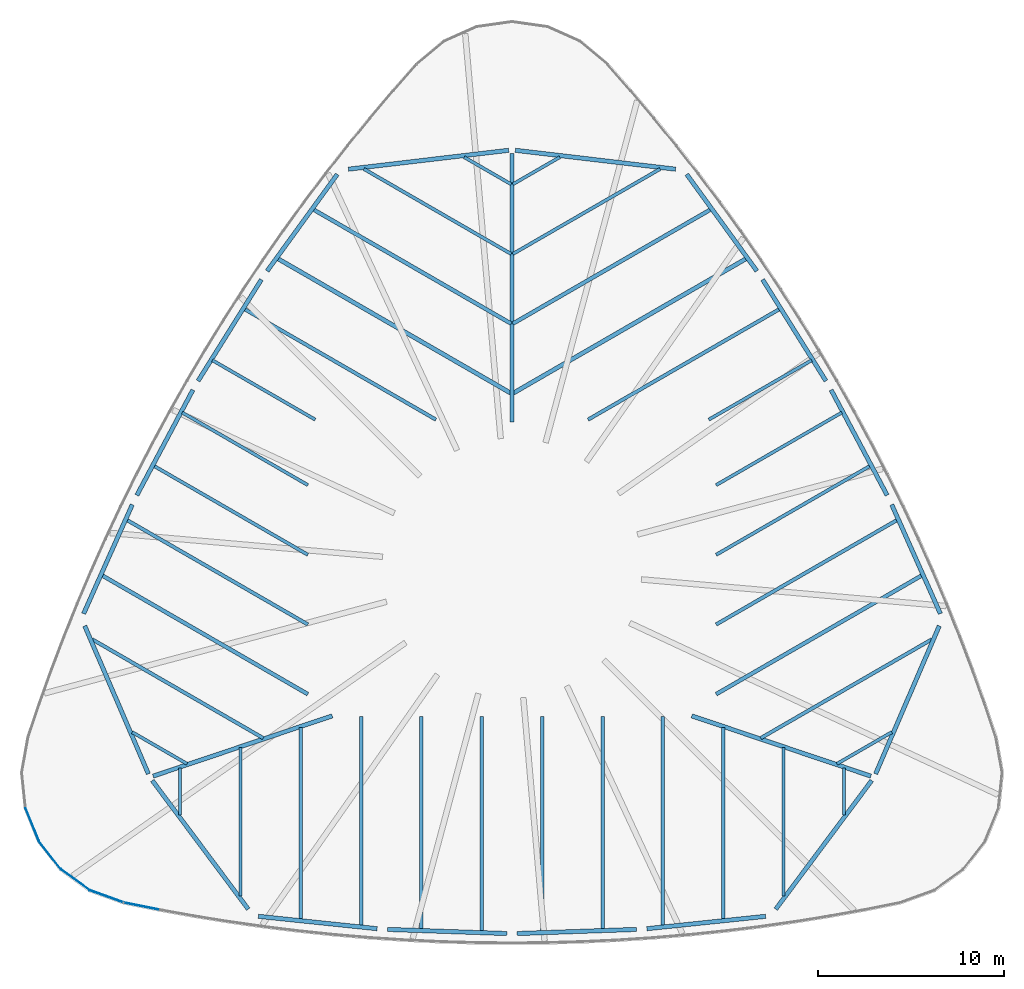
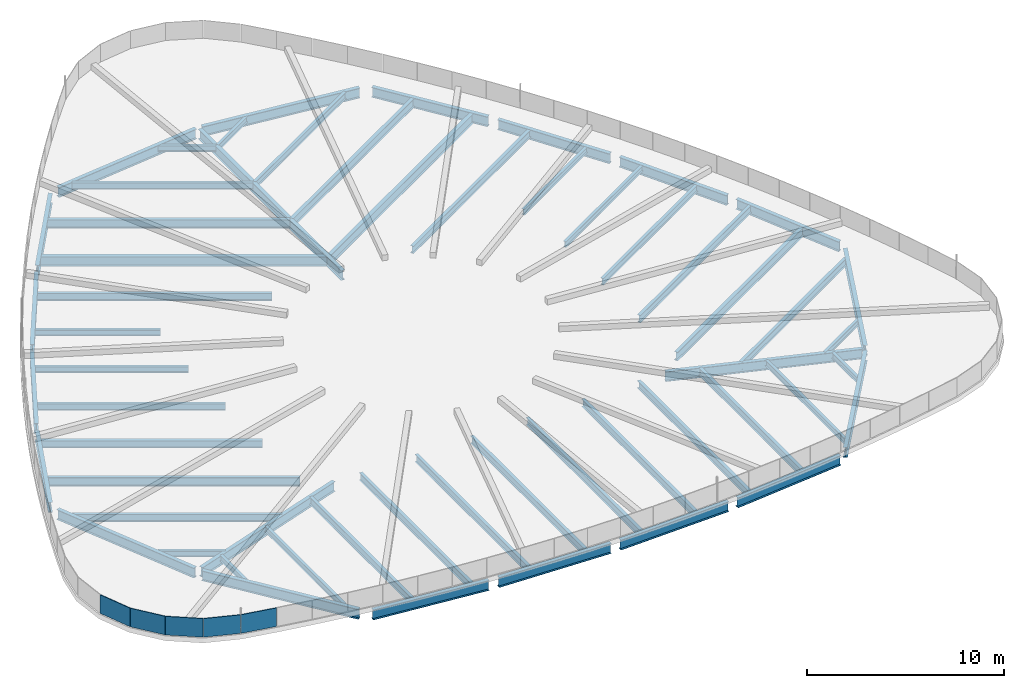
# One storey, part 1 of 9: 57 beams, 5 plates.
"""IFC4 building model written with IfcOpenShell, lengths in metres."""

from ifc_helpers import new_model, si_unit, direction, frame, origin, origin_2d, place, context, subcontext, project, spatial, rectangle, i_section, extrude, material, layer, layer_set, material_profile, profile_set, type_object, element, save


model = new_model("IFC4")

# Units and contexts
model_context = context("Model", 3, precision=1e-05, world=origin(), true_north=direction((0.0, 1.0)))
body_context = subcontext(model_context, "Body", "Model", "MODEL_VIEW")
ifc_project = project(units=[si_unit("LENGTHUNIT", "METRE"), si_unit("AREAUNIT", "SQUARE_METRE"), si_unit("VOLUMEUNIT", "CUBIC_METRE"), si_unit("PLANEANGLEUNIT", "RADIAN"), si_unit("MASSUNIT", "GRAM", prefix="KILO")], contexts=[model_context])

# Site, building, storey
site_placement = place(None, origin())
site = spatial("IfcSite", under=ifc_project, at=site_placement, CompositionType="ELEMENT")
building_placement = place(site_placement, origin())
building = spatial("IfcBuilding", under=site, at=building_placement, Name="Sierra Prisma Convention Tower", CompositionType="ELEMENT")
storey_placement = place(building_placement, frame((0.0, 0.0, 361.0)))
storey = spatial("IfcBuildingStorey", under=building, at=storey_placement, Name="Roof", CompositionType="ELEMENT", Elevation=361.0)

# Beams
ifc_material_1 = material(Name="Steel ASTM A992 Gr 50", Category="steel")
ifc_material_profile_1 = material_profile(ifc_material_1, i_section(OverallWidth=0.172119140625, OverallDepth=0.35791015625, WebThickness=0.0078125, FlangeThickness=0.01318359375, at=origin_2d()), Name="W360x57")
ifc_profile_set_1 = profile_set([ifc_material_profile_1], Name="Steel ASTM A992 Gr 50")
beam_type_1 = type_object("IfcBeamType", Name="Floor joist W360x57", PredefinedType="JOIST", material=ifc_profile_set_1)
beam_1_placement = place(storey_placement, frame((-17.8876953125, -13.30419921875, -0.47900390625), z_axis=(0.0, 1.0, 0.0), x_axis=(-1.0, 0.0, 0.0)))
element("IfcBeam", 1, at=beam_1_placement, inside=storey, type_object=beam_type_1, Name="Floor joist Roof S01", PredefinedType="JOIST", context=body_context, shape_type="SweptSolid", body=[
    extrude(i_section(OverallWidth=0.172119140625, OverallDepth=0.35791015625, WebThickness=0.0078125, FlangeThickness=0.01318359375, at=origin_2d()), origin(), (0.0, 0.0, 1.0), 2.53662109375),
])
for number, where, z_axis, x_axis, name in (
    (2, (-14.63525390625, -17.664794921875, -0.47900390625), (0.0, 1.0, 0.0), (-1.0, 0.0, 0.0), "Floor joist Roof S02"),
    (3, (14.63525390625, -17.664794921875, -0.47900390625), (0.0, 1.0, 0.0), (-1.0, 0.0, 0.0), "Floor joist Roof S11"),
):
    element("IfcBeam", number, at=place(storey_placement, frame(where, z_axis=z_axis, x_axis=x_axis)), inside=storey, type_object=beam_type_1, Name=name, PredefinedType="JOIST", context=body_context, shape_type="SweptSolid", body=[
        extrude(i_section(OverallWidth=0.172119140625, OverallDepth=0.35791015625, WebThickness=0.0078125, FlangeThickness=0.01318359375, at=origin_2d()), origin(), (0.0, 0.0, 1.0), 7.99072265625),
    ])
beam_2_placement = place(storey_placement, frame((17.8876953125, -13.30419921875, -0.47900390625), z_axis=(0.0, 1.0, 0.0), x_axis=(-1.0, 0.0, 0.0)))
element("IfcBeam", 4, at=beam_2_placement, inside=storey, type_object=beam_type_1, Name="Floor joist Roof S12", PredefinedType="JOIST", context=body_context, shape_type="SweptSolid", body=[
    extrude(i_section(OverallWidth=0.172119140625, OverallDepth=0.35791015625, WebThickness=0.0078125, FlangeThickness=0.01318359375, at=origin_2d()), origin(), (0.0, 0.0, 1.0), 2.53662109375),
])
beam_3_placement = place(storey_placement, frame((20.465576171875, -8.839111328125, -0.47900390625), z_axis=(-0.866059270181, -0.499941337092, 0.0), x_axis=(0.499941337092, -0.866059270181, 0.0)))
element("IfcBeam", 5, at=beam_3_placement, inside=storey, type_object=beam_type_1, Name="Floor joist Roof NE01", PredefinedType="JOIST", context=body_context, shape_type="SweptSolid", body=[
    extrude(i_section(OverallWidth=0.172119140625, OverallDepth=0.35791015625, WebThickness=0.0078125, FlangeThickness=0.01318359375, at=origin_2d()), origin(), (0.0, 0.0, 1.0), 3.41162109375),
])
beam_4_placement = place(storey_placement, frame((17.7685546875, 8.381103515625, -0.47900390625), z_axis=(-0.866018084234, -0.50001267762, 0.0), x_axis=(0.50001267762, -0.866018084234, 0.0)))
element("IfcBeam", 6, at=beam_4_placement, inside=storey, type_object=beam_type_1, Name="Floor joist Roof NE06", PredefinedType="JOIST", context=body_context, shape_type="SweptSolid", body=[
    extrude(i_section(OverallWidth=0.172119140625, OverallDepth=0.35791015625, WebThickness=0.0078125, FlangeThickness=0.01318359375, at=origin_2d()), origin(), (0.0, 0.0, 1.0), 7.815673828125),
])
beam_5_placement = place(storey_placement, frame((16.142578125, 11.197509765625, -0.47900390625), z_axis=(-0.866038102165, -0.499978005115, 0.0), x_axis=(0.499978005115, -0.866038102165, 0.0)))
element("IfcBeam", 7, at=beam_5_placement, inside=storey, type_object=beam_type_1, Name="Floor joist Roof NE07", PredefinedType="JOIST", context=body_context, shape_type="SweptSolid", body=[
    extrude(i_section(OverallWidth=0.172119140625, OverallDepth=0.35791015625, WebThickness=0.0078125, FlangeThickness=0.01318359375, at=origin_2d()), origin(), (0.0, 0.0, 1.0), 6.395263671875),
])
for number, where, z_axis, x_axis, name in (
    (8, (2.577880859375, 22.14306640625, -0.47900390625), (-0.866035418383, -0.499982653806, 0.0), (0.499982653806, -0.866035418383, 0.0), "Floor joist Roof NE12"),
    (9, (-2.577880859375, 22.14306640625, -0.47900390625), (0.866035418383, -0.499982653806, 0.0), (0.499982653806, 0.866035418383, 0.0), "Floor joist Roof NW01"),
):
    element("IfcBeam", number, at=place(storey_placement, frame(where, z_axis=z_axis, x_axis=x_axis)), inside=storey, type_object=beam_type_1, Name=name, PredefinedType="JOIST", context=body_context, shape_type="SweptSolid", body=[
        extrude(i_section(OverallWidth=0.172119140625, OverallDepth=0.35791015625, WebThickness=0.0078125, FlangeThickness=0.01318359375, at=origin_2d()), origin(), (0.0, 0.0, 1.0), 2.923828125),
    ])
beam_6_placement = place(storey_placement, frame((-16.142578125, 11.197509765625, -0.47900390625), z_axis=(0.866038102165, -0.499978005115, 0.0), x_axis=(0.499978005115, 0.866038102165, 0.0)))
element("IfcBeam", 10, at=beam_6_placement, inside=storey, type_object=beam_type_1, Name="Floor joist Roof NW06", PredefinedType="JOIST", context=body_context, shape_type="SweptSolid", body=[
    extrude(i_section(OverallWidth=0.172119140625, OverallDepth=0.35791015625, WebThickness=0.0078125, FlangeThickness=0.01318359375, at=origin_2d()), origin(), (0.0, 0.0, 1.0), 6.395263671875),
])
beam_7_placement = place(storey_placement, frame((-17.7685546875, 8.381103515625, -0.47900390625), z_axis=(0.866018084234, -0.50001267762, 0.0), x_axis=(0.50001267762, 0.866018084234, 0.0)))
element("IfcBeam", 11, at=beam_7_placement, inside=storey, type_object=beam_type_1, Name="Floor joist Roof NW07", PredefinedType="JOIST", context=body_context, shape_type="SweptSolid", body=[
    extrude(i_section(OverallWidth=0.172119140625, OverallDepth=0.35791015625, WebThickness=0.0078125, FlangeThickness=0.01318359375, at=origin_2d()), origin(), (0.0, 0.0, 1.0), 7.815673828125),
])
beam_8_placement = place(storey_placement, frame((-20.465576171875, -8.839111328125, -0.47900390625), z_axis=(0.866059270181, -0.499941337092, 0.0), x_axis=(0.499941337092, 0.866059270181, 0.0)))
element("IfcBeam", 12, at=beam_8_placement, inside=storey, type_object=beam_type_1, Name="Floor joist Roof NW12", PredefinedType="JOIST", context=body_context, shape_type="SweptSolid", body=[
    extrude(i_section(OverallWidth=0.172119140625, OverallDepth=0.35791015625, WebThickness=0.0078125, FlangeThickness=0.01318359375, at=origin_2d()), origin(), (0.0, 0.0, 1.0), 3.41162109375),
])
ifc_material_2 = material(Name="Steel ASTM A992 Gr 50", Category="steel")
ifc_material_profile_2 = material_profile(ifc_material_2, i_section(OverallWidth=0.177978515625, OverallDepth=0.406982421875, WebThickness=0.0078125, FlangeThickness=0.0126953125, at=origin_2d()), Name="W410x60")
ifc_profile_set_2 = profile_set([ifc_material_profile_2], Name="Steel ASTM A992 Gr 50")
beam_type_2 = type_object("IfcBeamType", Name="Floor joist W410x60", PredefinedType="JOIST", material=ifc_profile_set_2)
beam_9_placement = place(storey_placement, frame((19.29736328125, 5.508056640625, -0.50341796875), z_axis=(-0.866034520527, -0.499984209006, 0.0), x_axis=(0.499984209006, -0.866034520527, 0.0)))
element("IfcBeam", 13, at=beam_9_placement, inside=storey, type_object=beam_type_2, Name="Floor joist Roof NE05", PredefinedType="JOIST", context=body_context, shape_type="SweptSolid", body=[
    extrude(i_section(OverallWidth=0.177978515625, OverallDepth=0.406982421875, WebThickness=0.0078125, FlangeThickness=0.0126953125, at=origin_2d()), origin(), (0.0, 0.0, 1.0), 9.580810546875),
])
for number, where, z_axis, x_axis, name in (
    (14, (7.98046875, 21.5068359375, -0.50341796875), (-0.866030723977, -0.499990785043, 0.0), (0.499990785043, -0.866030723977, 0.0), "Floor joist Roof NE11"),
    (15, (-7.98046875, 21.5068359375, -0.50341796875), (0.866030723977, -0.499990785043, 0.0), (0.499990785043, 0.866030723977, 0.0), "Floor joist Roof NW02"),
):
    element("IfcBeam", number, at=place(storey_placement, frame(where, z_axis=z_axis, x_axis=x_axis)), inside=storey, type_object=beam_type_2, Name=name, PredefinedType="JOIST", context=body_context, shape_type="SweptSolid", body=[
        extrude(i_section(OverallWidth=0.177978515625, OverallDepth=0.406982421875, WebThickness=0.0078125, FlangeThickness=0.0126953125, at=origin_2d()), origin(), (0.0, 0.0, 1.0), 9.162353515625),
    ])
beam_10_placement = place(storey_placement, frame((-19.29736328125, 5.508056640625, -0.50341796875), z_axis=(0.866034520527, -0.499984209006, 0.0), x_axis=(0.499984209006, 0.866034520527, 0.0)))
element("IfcBeam", 16, at=beam_10_placement, inside=storey, type_object=beam_type_2, Name="Floor joist Roof NW08", PredefinedType="JOIST", context=body_context, shape_type="SweptSolid", body=[
    extrude(i_section(OverallWidth=0.177978515625, OverallDepth=0.406982421875, WebThickness=0.0078125, FlangeThickness=0.0126953125, at=origin_2d()), origin(), (0.0, 0.0, 1.0), 9.580810546875),
])
ifc_material_3 = material(Name="Steel ASTM A992 Gr 50", Category="steel")
ifc_material_profile_3 = material_profile(ifc_material_3, i_section(OverallWidth=0.18994140625, OverallDepth=0.45703125, WebThickness=0.009033203125, FlangeThickness=0.014404296875, at=origin_2d()), Name="W460x74")
ifc_profile_set_3 = profile_set([ifc_material_profile_3], Name="Steel ASTM A992 Gr 50")
beam_type_3 = type_object("IfcBeamType", Name="Floor joist W460x74", PredefinedType="JOIST", material=ifc_profile_set_3)
beam_11_placement = place(storey_placement, frame((-11.383056640625, -18.9345703125, -0.528564453125), z_axis=(0.0, 1.0, 0.0), x_axis=(-1.0, 0.0, 0.0)))
element("IfcBeam", 17, at=beam_11_placement, inside=storey, type_object=beam_type_3, Name="Floor joist Roof S03", PredefinedType="JOIST", context=body_context, shape_type="SweptSolid", body=[
    extrude(i_section(OverallWidth=0.18994140625, OverallDepth=0.45703125, WebThickness=0.009033203125, FlangeThickness=0.014404296875, at=origin_2d()), origin(), (0.0, 0.0, 1.0), 10.354248046875),
])
beam_12_placement = place(storey_placement, frame((-8.130615234375, -19.2734375, -0.528564453125), z_axis=(0.0, 1.0, 0.0), x_axis=(-1.0, 0.0, 0.0)))
element("IfcBeam", 18, at=beam_12_placement, inside=storey, type_object=beam_type_3, Name="Floor joist Roof S04", PredefinedType="JOIST", context=body_context, shape_type="SweptSolid", body=[
    extrude(i_section(OverallWidth=0.18994140625, OverallDepth=0.45703125, WebThickness=0.009033203125, FlangeThickness=0.014404296875, at=origin_2d()), origin(), (0.0, 0.0, 1.0), 11.2734375),
])
beam_13_placement = place(storey_placement, frame((-4.87841796875, -19.466064453125, -0.528564453125), z_axis=(0.0, 1.0, 0.0), x_axis=(-1.0, 0.0, 0.0)))
element("IfcBeam", 19, at=beam_13_placement, inside=storey, type_object=beam_type_3, Name="Floor joist Roof S05", PredefinedType="JOIST", context=body_context, shape_type="SweptSolid", body=[
    extrude(i_section(OverallWidth=0.18994140625, OverallDepth=0.45703125, WebThickness=0.009033203125, FlangeThickness=0.014404296875, at=origin_2d()), origin(), (0.0, 0.0, 1.0), 11.466064453125),
])
for number, where, z_axis, x_axis, name in (
    (20, (-1.626220703125, -19.57861328125, -0.528564453125), (0.0, 1.0, 0.0), (-1.0, 0.0, 0.0), "Floor joist Roof S06"),
    (21, (1.626220703125, -19.57861328125, -0.528564453125), (0.0, 1.0, 0.0), (-1.0, 0.0, 0.0), "Floor joist Roof S07"),
):
    element("IfcBeam", number, at=place(storey_placement, frame(where, z_axis=z_axis, x_axis=x_axis)), inside=storey, type_object=beam_type_3, Name=name, PredefinedType="JOIST", context=body_context, shape_type="SweptSolid", body=[
        extrude(i_section(OverallWidth=0.18994140625, OverallDepth=0.45703125, WebThickness=0.009033203125, FlangeThickness=0.014404296875, at=origin_2d()), origin(), (0.0, 0.0, 1.0), 11.57861328125),
    ])
beam_14_placement = place(storey_placement, frame((4.87841796875, -19.466064453125, -0.528564453125), z_axis=(0.0, 1.0, 0.0), x_axis=(-1.0, 0.0, 0.0)))
element("IfcBeam", 22, at=beam_14_placement, inside=storey, type_object=beam_type_3, Name="Floor joist Roof S08", PredefinedType="JOIST", context=body_context, shape_type="SweptSolid", body=[
    extrude(i_section(OverallWidth=0.18994140625, OverallDepth=0.45703125, WebThickness=0.009033203125, FlangeThickness=0.014404296875, at=origin_2d()), origin(), (0.0, 0.0, 1.0), 11.466064453125),
])
beam_15_placement = place(storey_placement, frame((8.130615234375, -19.2734375, -0.528564453125), z_axis=(0.0, 1.0, 0.0), x_axis=(-1.0, 0.0, 0.0)))
element("IfcBeam", 23, at=beam_15_placement, inside=storey, type_object=beam_type_3, Name="Floor joist Roof S09", PredefinedType="JOIST", context=body_context, shape_type="SweptSolid", body=[
    extrude(i_section(OverallWidth=0.18994140625, OverallDepth=0.45703125, WebThickness=0.009033203125, FlangeThickness=0.014404296875, at=origin_2d()), origin(), (0.0, 0.0, 1.0), 11.2734375),
])
beam_16_placement = place(storey_placement, frame((11.383056640625, -18.9345703125, -0.528564453125), z_axis=(0.0, 1.0, 0.0), x_axis=(-1.0, 0.0, 0.0)))
element("IfcBeam", 24, at=beam_16_placement, inside=storey, type_object=beam_type_3, Name="Floor joist Roof S10", PredefinedType="JOIST", context=body_context, shape_type="SweptSolid", body=[
    extrude(i_section(OverallWidth=0.18994140625, OverallDepth=0.45703125, WebThickness=0.009033203125, FlangeThickness=0.014404296875, at=origin_2d()), origin(), (0.0, 0.0, 1.0), 10.354248046875),
])
beam_17_placement = place(storey_placement, frame((22.61572265625, -3.84228515625, -0.528564453125), z_axis=(-0.866026257313, -0.499998521642, 0.0), x_axis=(0.499998521642, -0.866026257313, 0.0)))
element("IfcBeam", 25, at=beam_17_placement, inside=storey, type_object=beam_type_3, Name="Floor joist Roof NE02", PredefinedType="JOIST", context=body_context, shape_type="SweptSolid", body=[
    extrude(i_section(OverallWidth=0.18994140625, OverallDepth=0.45703125, WebThickness=0.009033203125, FlangeThickness=0.014404296875, at=origin_2d()), origin(), (0.0, 0.0, 1.0), 10.640625),
])
beam_18_placement = place(storey_placement, frame((20.756591796875, 2.59521484375, -0.528564453125), z_axis=(-0.866031491966, -0.499989454812, 0.0), x_axis=(0.499989454812, -0.866031491966, 0.0)))
element("IfcBeam", 26, at=beam_18_placement, inside=storey, type_object=beam_type_3, Name="Floor joist Roof NE04", PredefinedType="JOIST", context=body_context, shape_type="SweptSolid", body=[
    extrude(i_section(OverallWidth=0.18994140625, OverallDepth=0.45703125, WebThickness=0.009033203125, FlangeThickness=0.014404296875, at=origin_2d()), origin(), (0.0, 0.0, 1.0), 11.265869140625),
])
for number, where, z_axis, x_axis, name in (
    (27, (14.4189453125, 13.957763671875, -0.528564453125), (-0.86602931789, -0.499993220509, 0.0), (0.499993220509, -0.86602931789, 0.0), "Floor joist Roof NE08"),
    (28, (-14.4189453125, 13.957763671875, -0.528564453125), (0.86602931789, -0.499993220509, 0.0), (0.499993220509, 0.86602931789, 0.0), "Floor joist Roof NW05"),
):
    element("IfcBeam", number, at=place(storey_placement, frame(where, z_axis=z_axis, x_axis=x_axis)), inside=storey, type_object=beam_type_3, Name=name, PredefinedType="JOIST", context=body_context, shape_type="SweptSolid", body=[
        extrude(i_section(OverallWidth=0.18994140625, OverallDepth=0.45703125, WebThickness=0.009033203125, FlangeThickness=0.014404296875, at=origin_2d()), origin(), (0.0, 0.0, 1.0), 11.915771484375),
    ])
beam_19_placement = place(storey_placement, frame((-20.756591796875, 2.59521484375, -0.528564453125), z_axis=(0.866031491966, -0.499989454812, 0.0), x_axis=(0.499989454812, 0.866031491966, 0.0)))
element("IfcBeam", 29, at=beam_19_placement, inside=storey, type_object=beam_type_3, Name="Floor joist Roof NW09", PredefinedType="JOIST", context=body_context, shape_type="SweptSolid", body=[
    extrude(i_section(OverallWidth=0.18994140625, OverallDepth=0.45703125, WebThickness=0.009033203125, FlangeThickness=0.014404296875, at=origin_2d()), origin(), (0.0, 0.0, 1.0), 11.265869140625),
])
beam_20_placement = place(storey_placement, frame((-22.61572265625, -3.84228515625, -0.528564453125), z_axis=(0.866026257313, -0.499998521642, 0.0), x_axis=(0.499998521642, 0.866026257313, 0.0)))
element("IfcBeam", 30, at=beam_20_placement, inside=storey, type_object=beam_type_3, Name="Floor joist Roof NW11", PredefinedType="JOIST", context=body_context, shape_type="SweptSolid", body=[
    extrude(i_section(OverallWidth=0.18994140625, OverallDepth=0.45703125, WebThickness=0.009033203125, FlangeThickness=0.014404296875, at=origin_2d()), origin(), (0.0, 0.0, 1.0), 10.640625),
])
ifc_material_4 = material(Name="Steel ASTM A992 Gr 50", Category="steel")
ifc_material_profile_4 = material_profile(ifc_material_4, i_section(OverallWidth=0.208984375, OverallDepth=0.532958984375, WebThickness=0.01025390625, FlangeThickness=0.015625, at=origin_2d()), Name="W530x92")
ifc_profile_set_4 = profile_set([ifc_material_profile_4], Name="Steel ASTM A992 Gr 50")
beam_type_4 = type_object("IfcBeamType", Name="Floor joist W530x92", PredefinedType="JOIST", material=ifc_profile_set_4)
beam_21_placement = place(storey_placement, frame((22.089111328125, -0.390869140625, -0.56640625), z_axis=(-0.866023971986, -0.50000247994, 0.0), x_axis=(0.50000247994, -0.866023971986, 0.0)))
element("IfcBeam", 31, at=beam_21_placement, inside=storey, type_object=beam_type_4, Name="Floor joist Roof NE03", PredefinedType="JOIST", context=body_context, shape_type="SweptSolid", body=[
    extrude(i_section(OverallWidth=0.208984375, OverallDepth=0.532958984375, WebThickness=0.01025390625, FlangeThickness=0.015625, at=origin_2d()), origin(), (0.0, 0.0, 1.0), 12.8046875),
])
for number, where, z_axis, x_axis, name in (
    (32, (10.706298828125, 19.3251953125, -0.56640625), (-0.866030357748, -0.499991419384, 0.0), (0.499991419384, -0.866030357748, 0.0), "Floor joist Roof NE10"),
    (33, (-10.706298828125, 19.3251953125, -0.56640625), (0.866030357748, -0.499991419384, 0.0), (0.499991419384, 0.866030357748, 0.0), "Floor joist Roof NW03"),
):
    element("IfcBeam", number, at=place(storey_placement, frame(where, z_axis=z_axis, x_axis=x_axis)), inside=storey, type_object=beam_type_4, Name=name, PredefinedType="JOIST", context=body_context, shape_type="SweptSolid", body=[
        extrude(i_section(OverallWidth=0.208984375, OverallDepth=0.532958984375, WebThickness=0.01025390625, FlangeThickness=0.015625, at=origin_2d()), origin(), (0.0, 0.0, 1.0), 12.309814453125),
    ])
beam_22_placement = place(storey_placement, frame((-22.089111328125, -0.390869140625, -0.56640625), z_axis=(0.866023971986, -0.50000247994, 0.0), x_axis=(0.50000247994, 0.866023971986, 0.0)))
element("IfcBeam", 34, at=beam_22_placement, inside=storey, type_object=beam_type_4, Name="Floor joist Roof NW10", PredefinedType="JOIST", context=body_context, shape_type="SweptSolid", body=[
    extrude(i_section(OverallWidth=0.208984375, OverallDepth=0.532958984375, WebThickness=0.01025390625, FlangeThickness=0.015625, at=origin_2d()), origin(), (0.0, 0.0, 1.0), 12.8046875),
])
ifc_material_5 = material(Name="Steel ASTM A992 Gr 50", Category="steel")
ifc_material_profile_5 = material_profile(ifc_material_5, i_section(OverallWidth=0.22802734375, OverallDepth=0.60302734375, WebThickness=0.010498046875, FlangeThickness=0.014892578125, at=origin_2d()), Name="W610x101")
ifc_profile_set_5 = profile_set([ifc_material_profile_5], Name="Steel ASTM A992 Gr 50")
beam_type_5 = type_object("IfcBeamType", Name="Floor joist W610x101", PredefinedType="JOIST", material=ifc_profile_set_5)
for number, where, z_axis, x_axis, name in (
    (35, (12.6259765625, 16.67822265625, -0.6015625), (-0.866020178709, -0.500009049987, 0.0), (0.500009049987, -0.866020178709, 0.0), "Floor joist Roof NE09"),
    (36, (-12.6259765625, 16.67822265625, -0.6015625), (0.866020178709, -0.500009049987, 0.0), (0.500009049987, 0.866020178709, 0.0), "Floor joist Roof NW04"),
):
    element("IfcBeam", number, at=place(storey_placement, frame(where, z_axis=z_axis, x_axis=x_axis)), inside=storey, type_object=beam_type_5, Name=name, PredefinedType="JOIST", context=body_context, shape_type="SweptSolid", body=[
        extrude(i_section(OverallWidth=0.22802734375, OverallDepth=0.60302734375, WebThickness=0.010498046875, FlangeThickness=0.014892578125, at=origin_2d()), origin(), (0.0, 0.0, 1.0), 14.526611328125),
    ])
ifc_material_6 = material(Name="Steel ASTM A992 Gr 50", Category="steel")
ifc_material_profile_6 = material_profile(ifc_material_6, i_section(OverallWidth=0.22802734375, OverallDepth=0.60302734375, WebThickness=0.010498046875, FlangeThickness=0.014892578125, at=origin_2d()), Name="W610x101")
ifc_profile_set_6 = profile_set([ifc_material_profile_6], Name="Steel ASTM A992 Gr 50")
beam_type_6 = type_object("IfcBeamType", Name="Radial girder W610x101", PredefinedType="BEAM", material=ifc_profile_set_6)
beam_23_placement = place(storey_placement, frame((19.333740234375, -11.205810546875, -0.6015625), z_axis=(-0.947845267428, 0.318730841016, 0.0), x_axis=(-0.318730841016, -0.947845267428, 0.0)))
element("IfcBeam", 37, at=beam_23_placement, inside=storey, type_object=beam_type_6, Name="Radial girder Roof SE", PredefinedType="BEAM", context=body_context, shape_type="SweptSolid", body=[
    extrude(i_section(OverallWidth=0.22802734375, OverallDepth=0.60302734375, WebThickness=0.010498046875, FlangeThickness=0.014892578125, at=origin_2d()), origin(), (0.0, 0.0, 1.0), 10.17822265625),
])
beam_24_placement = place(storey_placement, frame((0.0, 22.3525390625, -0.6015625), z_axis=(0.0, -1.0, 0.0), x_axis=(1.0, 0.0, 0.0)))
element("IfcBeam", 38, at=beam_24_placement, inside=storey, type_object=beam_type_6, Name="Radial girder Roof N", PredefinedType="BEAM", context=body_context, shape_type="SweptSolid", body=[
    extrude(i_section(OverallWidth=0.22802734375, OverallDepth=0.60302734375, WebThickness=0.010498046875, FlangeThickness=0.014892578125, at=origin_2d()), origin(), (0.0, 0.0, 1.0), 14.47265625),
])
beam_25_placement = place(storey_placement, frame((-19.333740234375, -11.205810546875, -0.6015625), z_axis=(0.947845267428, 0.318730841016, 0.0), x_axis=(-0.318730841016, 0.947845267428, 0.0)))
element("IfcBeam", 39, at=beam_25_placement, inside=storey, type_object=beam_type_6, Name="Radial girder Roof SW", PredefinedType="BEAM", context=body_context, shape_type="SweptSolid", body=[
    extrude(i_section(OverallWidth=0.22802734375, OverallDepth=0.60302734375, WebThickness=0.010498046875, FlangeThickness=0.014892578125, at=origin_2d()), origin(), (0.0, 0.0, 1.0), 10.17822265625),
])
ifc_material_7 = material(Name="Steel ASTM A992 Gr 50", Category="steel")
ifc_material_profile_7 = material_profile(ifc_material_7, i_section(OverallWidth=0.22998046875, OverallDepth=0.616943359375, WebThickness=0.01318359375, FlangeThickness=0.022216796875, at=origin_2d()), Name="W610x140")
ifc_profile_set_7 = profile_set([ifc_material_profile_7], Name="Steel ASTM A992 Gr 50")
beam_type_7 = type_object("IfcBeamType", Name="Spandrel beam W610x140", PredefinedType="BEAM", material=ifc_profile_set_7)
beam_26_placement = place(storey_placement, frame((-19.37939453125, -11.4462890625, -0.6083984375), z_axis=(0.59784325076, -0.801613028537, 0.0), x_axis=(0.801613028537, 0.59784325076, 0.0)))
element("IfcBeam", 40, at=beam_26_placement, inside=storey, type_object=beam_type_7, Name="Spandrel Roof-01", PredefinedType="BEAM", context=body_context, shape_type="SweptSolid", body=[
    extrude(i_section(OverallWidth=0.22998046875, OverallDepth=0.616943359375, WebThickness=0.01318359375, FlangeThickness=0.022216796875, at=origin_2d()), origin(), (0.0, 0.0, 1.0), 8.64794921875),
])
for number, where, z_axis, x_axis, name in (
    (41, (-13.666015625, -18.76220703125, -0.6083984375), (0.994614089718, -0.103647539933, 0.0), (0.103647539933, 0.994614089718, 0.0), "Spandrel Roof-02"),
    (42, (-6.708984375, -19.4677734375, -0.6083984375), (0.999402116652, -0.034574690627, 0.0), (0.034574690627, 0.999402116652, 0.0), "Spandrel Roof-03"),
    (43, (0.280029296875, -19.690185546875, -0.6083984375), (0.999402116652, 0.034574690627, 0.0), (-0.034574690627, 0.999402116652, 0.0), "Spandrel Roof-04"),
    (44, (7.267822265625, -19.428955078125, -0.6083984375), (0.994614089718, 0.103647539933, 0.0), (-0.103647539933, 0.994614089718, 0.0), "Spandrel Roof-05"),
):
    element("IfcBeam", number, at=place(storey_placement, frame(where, z_axis=z_axis, x_axis=x_axis)), inside=storey, type_object=beam_type_7, Name=name, PredefinedType="BEAM", context=body_context, shape_type="SweptSolid", body=[
        extrude(i_section(OverallWidth=0.22998046875, OverallDepth=0.616943359375, WebThickness=0.01318359375, FlangeThickness=0.022216796875, at=origin_2d()), origin(), (0.0, 0.0, 1.0), 6.432861328125),
    ])
beam_27_placement = place(storey_placement, frame((14.209228515625, -18.378662109375, -0.6083984375), z_axis=(0.59784325076, 0.801613028537, 0.0), x_axis=(-0.801613028537, 0.59784325076, 0.0)))
element("IfcBeam", 45, at=beam_27_placement, inside=storey, type_object=beam_type_7, Name="Spandrel Roof-06", PredefinedType="BEAM", context=body_context, shape_type="SweptSolid", body=[
    extrude(i_section(OverallWidth=0.22998046875, OverallDepth=0.616943359375, WebThickness=0.01318359375, FlangeThickness=0.022216796875, at=origin_2d()), origin(), (0.0, 0.0, 1.0), 8.64794921875),
])
beam_28_placement = place(storey_placement, frame((19.591064453125, -11.086181640625, -0.6083984375), z_axis=(0.395280641587, 0.918560403232, 0.0), x_axis=(-0.918560403232, 0.395280641587, 0.0)))
element("IfcBeam", 46, at=beam_28_placement, inside=storey, type_object=beam_type_7, Name="Spandrel Roof-07", PredefinedType="BEAM", context=body_context, shape_type="SweptSolid", body=[
    extrude(i_section(OverallWidth=0.22998046875, OverallDepth=0.616943359375, WebThickness=0.01318359375, FlangeThickness=0.022216796875, at=origin_2d()), origin(), (0.0, 0.0, 1.0), 8.676513671875),
])
beam_29_placement = place(storey_placement, frame((23.081298828125, -2.4541015625, -0.6083984375), z_axis=(-0.407525387026, 0.913193878062, 0.0), x_axis=(-0.913193878062, -0.407525387026, 0.0)))
element("IfcBeam", 47, at=beam_29_placement, inside=storey, type_object=beam_type_7, Name="Spandrel Roof-08", PredefinedType="BEAM", context=body_context, shape_type="SweptSolid", body=[
    extrude(i_section(OverallWidth=0.22998046875, OverallDepth=0.616943359375, WebThickness=0.01318359375, FlangeThickness=0.022216796875, at=origin_2d()), origin(), (0.0, 0.0, 1.0), 6.432861328125),
])
beam_30_placement = place(storey_placement, frame((20.2138671875, 3.923583984375, -0.6083984375), z_axis=(-0.469705495739, 0.882823168745, 0.0), x_axis=(-0.882823168745, -0.469705495739, 0.0)))
element("IfcBeam", 48, at=beam_30_placement, inside=storey, type_object=beam_type_7, Name="Spandrel Roof-09", PredefinedType="BEAM", context=body_context, shape_type="SweptSolid", body=[
    extrude(i_section(OverallWidth=0.22998046875, OverallDepth=0.616943359375, WebThickness=0.01318359375, FlangeThickness=0.022216796875, at=origin_2d()), origin(), (0.0, 0.0, 1.0), 6.4326171875),
])
for number, where, z_axis, x_axis, name in (
    (49, (16.912353515625, 10.087646484375, -0.6083984375), (-0.529667986155, 0.848205060373, 0.0), (-0.848205060373, -0.529667986155, 0.0), "Spandrel Roof-10"),
    (50, (13.192138671875, 16.008544921875, -0.6083984375), (-0.587085729186, 0.809524765888, 0.0), (-0.809524765888, -0.587085729186, 0.0), "Spandrel Roof-11"),
):
    element("IfcBeam", number, at=place(storey_placement, frame(where, z_axis=z_axis, x_axis=x_axis)), inside=storey, type_object=beam_type_7, Name=name, PredefinedType="BEAM", context=body_context, shape_type="SweptSolid", body=[
        extrude(i_section(OverallWidth=0.22998046875, OverallDepth=0.616943359375, WebThickness=0.01318359375, FlangeThickness=0.022216796875, at=origin_2d()), origin(), (0.0, 0.0, 1.0), 6.432861328125),
    ])
for number, where, z_axis, x_axis, name in (
    (51, (8.811767578125, 21.49462890625, -0.6083984375), (-0.993136024518, 0.116965109348, 0.0), (-0.116965109348, -0.993136024518, 0.0), "Spandrel Roof-12"),
    (52, (-0.179931640625, 22.51123046875, -0.6083984375), (-0.993136024518, -0.116965109348, 0.0), (0.116965109348, -0.993136024518, 0.0), "Spandrel Roof-13"),
):
    element("IfcBeam", number, at=place(storey_placement, frame(where, z_axis=z_axis, x_axis=x_axis)), inside=storey, type_object=beam_type_7, Name=name, PredefinedType="BEAM", context=body_context, shape_type="SweptSolid", body=[
        extrude(i_section(OverallWidth=0.22998046875, OverallDepth=0.616943359375, WebThickness=0.01318359375, FlangeThickness=0.022216796875, at=origin_2d()), origin(), (0.0, 0.0, 1.0), 8.69140625),
    ])
for number, where, z_axis, x_axis, name in (
    (53, (-9.41552734375, 21.216064453125, -0.6083984375), (-0.587085729186, -0.809524765888, 0.0), (0.809524765888, -0.587085729186, 0.0), "Spandrel Roof-14"),
    (54, (-13.505126953125, 15.5439453125, -0.6083984375), (-0.529667986155, -0.848205060373, 0.0), (0.848205060373, -0.529667986155, 0.0), "Spandrel Roof-15"),
):
    element("IfcBeam", number, at=place(storey_placement, frame(where, z_axis=z_axis, x_axis=x_axis)), inside=storey, type_object=beam_type_7, Name=name, PredefinedType="BEAM", context=body_context, shape_type="SweptSolid", body=[
        extrude(i_section(OverallWidth=0.22998046875, OverallDepth=0.616943359375, WebThickness=0.01318359375, FlangeThickness=0.022216796875, at=origin_2d()), origin(), (0.0, 0.0, 1.0), 6.432861328125),
    ])
beam_31_placement = place(storey_placement, frame((-17.1923828125, 9.6025390625, -0.6083984375), z_axis=(-0.469705495739, -0.882823168745, 0.0), x_axis=(0.882823168745, -0.469705495739, 0.0)))
element("IfcBeam", 55, at=beam_31_placement, inside=storey, type_object=beam_type_7, Name="Spandrel Roof-16", PredefinedType="BEAM", context=body_context, shape_type="SweptSolid", body=[
    extrude(i_section(OverallWidth=0.22998046875, OverallDepth=0.616943359375, WebThickness=0.01318359375, FlangeThickness=0.022216796875, at=origin_2d()), origin(), (0.0, 0.0, 1.0), 6.4326171875),
])
beam_32_placement = place(storey_placement, frame((-20.459716796875, 3.42041015625, -0.6083984375), z_axis=(-0.407525387026, -0.913193878062, 0.0), x_axis=(0.913193878062, -0.407525387026, 0.0)))
element("IfcBeam", 56, at=beam_32_placement, inside=storey, type_object=beam_type_7, Name="Spandrel Roof-17", PredefinedType="BEAM", context=body_context, shape_type="SweptSolid", body=[
    extrude(i_section(OverallWidth=0.22998046875, OverallDepth=0.616943359375, WebThickness=0.01318359375, FlangeThickness=0.022216796875, at=origin_2d()), origin(), (0.0, 0.0, 1.0), 6.432861328125),
])
beam_33_placement = place(storey_placement, frame((-23.020751953125, -3.1162109375, -0.6083984375), z_axis=(0.395280641587, -0.918560403232, 0.0), x_axis=(0.918560403232, 0.395280641587, 0.0)))
element("IfcBeam", 57, at=beam_33_placement, inside=storey, type_object=beam_type_7, Name="Spandrel Roof-18", PredefinedType="BEAM", context=body_context, shape_type="SweptSolid", body=[
    extrude(i_section(OverallWidth=0.22998046875, OverallDepth=0.616943359375, WebThickness=0.01318359375, FlangeThickness=0.022216796875, at=origin_2d()), origin(), (0.0, 0.0, 1.0), 8.676513671875),
])

# Plates
ifc_material_8 = material(Name="Laminated glass", Category="glass")
ifc_layer = layer(ifc_material_8, 0.0400390625)
ifc_layer_set = layer_set([ifc_layer], Name="Roof glass parapet")
plate_type = type_object("IfcPlateType", Name="Roof glass parapet", PredefinedType="SHEET", material=ifc_layer_set)
plate_1_placement = place(storey_placement, frame((-21.837890625, -17.6904296875, 0.300048828125), z_axis=(0.0, 0.0, 1.0), x_axis=(-0.9401894712, 0.340651960577, 0.0)))
element("IfcPlate", 58, at=plate_1_placement, inside=storey, type_object=plate_type, Name="Roof glass parapet", PredefinedType="SHEET", context=body_context, shape_type="SweptSolid", body=[
    extrude(rectangle(XDim=1.910888671875, YDim=0.0400390625, at=origin_2d()), origin(), (0.0, 0.0, 1.0), 1.14990234375),
])
for number, where, z_axis, x_axis, name in (
    (59, (-23.5244140625, -16.796630859375, 0.300048828125), (0.0, 0.0, 1.0), (-0.809529625656, 0.587079028057, 0.0), "Roof glass parapet"),
    (60, (-24.89599609375, -15.473876953125, 0.300048828125), (0.0, 0.0, 1.0), (-0.615891130653, 0.787831273296, 0.0), "Roof glass parapet"),
    (61, (-25.8486328125, -13.823486328125, 0.300048828125), (0.0, 0.0, 1.0), (-0.374336331243, 0.927293001759, 0.0), "Roof glass parapet"),
):
    element("IfcPlate", number, at=place(storey_placement, frame(where, z_axis=z_axis, x_axis=x_axis)), inside=storey, type_object=plate_type, Name=name, PredefinedType="SHEET", context=body_context, shape_type="SweptSolid", body=[
        extrude(rectangle(XDim=1.904296875, YDim=0.0400390625, at=origin_2d()), origin(), (0.0, 0.0, 1.0), 1.14990234375),
    ])
plate_2_placement = place(storey_placement, frame((-19.99365234375, -18.20751953125, 0.300048828125), z_axis=(0.0, 0.0, 1.0), x_axis=(-0.980412364257, 0.196955822491, 0.0)))
element("IfcPlate", 62, at=plate_2_placement, inside=storey, type_object=plate_type, Name="Roof glass parapet", PredefinedType="SHEET", context=body_context, shape_type="SweptSolid", body=[
    extrude(rectangle(XDim=1.890380859375, YDim=0.0400390625, at=origin_2d()), origin(), (0.0, 0.0, 1.0), 1.14990234375),
])

save(model, "model.ifc")
